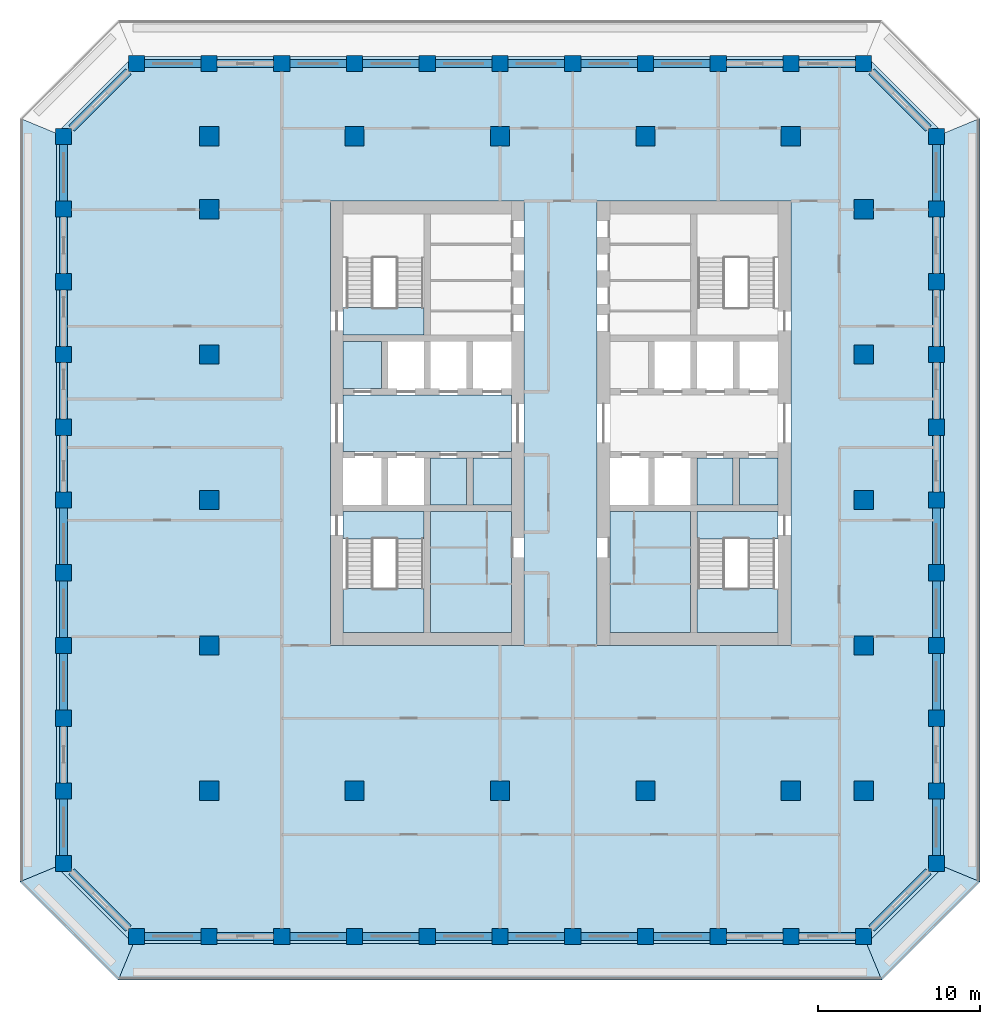
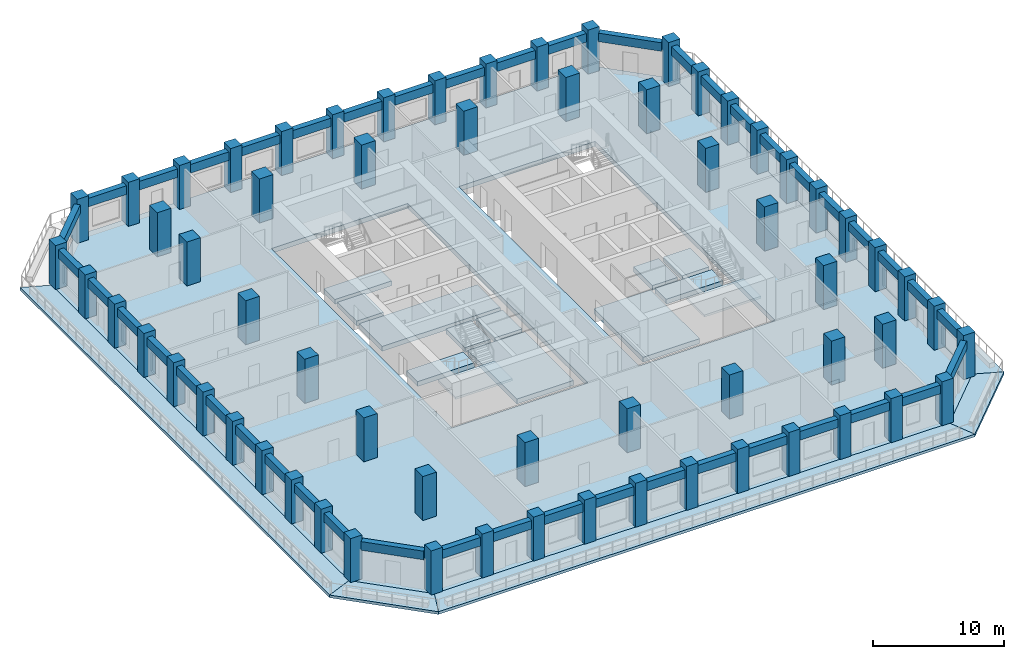
# One storey, part 1 of 16: 63 columns, 44 beams, 19 slabs, 2 elements without a shape of their own.
"""IFC4 building model written with IfcOpenShell, lengths in metres."""

from ifc_helpers import new_model, si_unit, direction, frame, origin, origin_2d, place, context, subcontext, project, spatial, polyline, rectangle, outline, extrude, material, layer, layer_set, material_profile, profile_set, type_object, element, aggregate, save


model = new_model("IFC4")

# Units and contexts
model_context = context("Model", 3, precision=1e-05, world=origin(), true_north=direction((0.0, 1.0)))
body_context = subcontext(model_context, "Body", "Model", "MODEL_VIEW")
ifc_project = project(units=[si_unit("LENGTHUNIT", "METRE"), si_unit("AREAUNIT", "SQUARE_METRE"), si_unit("VOLUMEUNIT", "CUBIC_METRE"), si_unit("PLANEANGLEUNIT", "RADIAN"), si_unit("MASSUNIT", "GRAM", prefix="KILO")], contexts=[model_context])

# Site, building, storey
site_placement = place(None, origin())
site = spatial("IfcSite", under=ifc_project, at=site_placement, CompositionType="ELEMENT")
building_placement = place(site_placement, origin())
building = spatial("IfcBuilding", under=site, at=building_placement, Name="Corbel Stack Research Tower", CompositionType="ELEMENT")
storey_placement = place(building_placement, frame((0.0, 0.0, 160.89990234375)))
storey = spatial("IfcBuildingStorey", under=building, at=storey_placement, Name="L36", CompositionType="ELEMENT", Elevation=160.89990234375)

# Columns
ifc_material_1 = material(Name="Concrete C60/75", Category="concrete")
ifc_material_profile_1 = material_profile(ifc_material_1, rectangle(XDim=1.0, YDim=1.0, at=origin_2d()), Name="RC 1000 x 1000")
ifc_profile_set_1 = profile_set([ifc_material_profile_1], Name="Concrete C60/75")
column_type_1 = type_object("IfcColumnType", Name="C-1000-60", PredefinedType="COLUMN", material=ifc_profile_set_1)
for number, where, z_axis, x_axis, name in (
    (1, (-27.0, -22.5, 0.0), (0.0, 0.0, 1.0), (1.0, 0.0, 0.0), "Column 2/C L36"),
    (2, (-27.0, -18.0, 0.0), (0.0, 0.0, 1.0), (1.0, 0.0, 0.0), "Column 2/D L36"),
    (3, (-27.0, -13.5, 0.0), (0.0, 0.0, 1.0), (1.0, 0.0, 0.0), "Column 2/E L36"),
    (4, (-27.0, -9.0, 0.0), (0.0, 0.0, 1.0), (1.0, 0.0, 0.0), "Column 2/F L36"),
    (5, (-27.0, -4.5, 0.0), (0.0, 0.0, 1.0), (1.0, 0.0, 0.0), "Column 2/G L36"),
    (6, (-27.0, 0.0, 0.0), (0.0, 0.0, 1.0), (1.0, 0.0, 0.0), "Column 2/H L36"),
    (7, (-27.0, 4.5, 0.0), (0.0, 0.0, 1.0), (1.0, 0.0, 0.0), "Column 2/J L36"),
    (8, (-27.0, 9.0, 0.0), (0.0, 0.0, 1.0), (1.0, 0.0, 0.0), "Column 2/K L36"),
    (9, (-27.0, 13.5, 0.0), (0.0, 0.0, 1.0), (1.0, 0.0, 0.0), "Column 2/L L36"),
    (10, (-27.0, 18.0, 0.0), (0.0, 0.0, 1.0), (1.0, 0.0, 0.0), "Column 2/M L36"),
    (11, (-27.0, 22.5, 0.0), (0.0, 0.0, 1.0), (1.0, 0.0, 0.0), "Column 2/N L36"),
    (12, (-22.5, -27.0, 0.0), (0.0, 0.0, 1.0), (1.0, 0.0, 0.0), "Column 3/B L36"),
    (13, (-22.5, 27.0, 0.0), (0.0, 0.0, 1.0), (1.0, 0.0, 0.0), "Column 3/P L36"),
    (14, (-18.0, -27.0, 0.0), (0.0, 0.0, 1.0), (1.0, 0.0, 0.0), "Column 4/B L36"),
    (15, (-18.0, 27.0, 0.0), (0.0, 0.0, 1.0), (1.0, 0.0, 0.0), "Column 4/P L36"),
    (16, (-13.5, -27.0, 0.0), (0.0, 0.0, 1.0), (1.0, 0.0, 0.0), "Column 5/B L36"),
    (17, (-13.5, 27.0, 0.0), (0.0, 0.0, 1.0), (1.0, 0.0, 0.0), "Column 5/P L36"),
    (18, (-9.0, -27.0, 0.0), (0.0, 0.0, 1.0), (1.0, 0.0, 0.0), "Column 6/B L36"),
    (19, (-9.0, 27.0, 0.0), (0.0, 0.0, 1.0), (1.0, 0.0, 0.0), "Column 6/P L36"),
    (20, (-4.5, -27.0, 0.0), (0.0, 0.0, 1.0), (1.0, 0.0, 0.0), "Column 7/B L36"),
    (21, (-4.5, 27.0, 0.0), (0.0, 0.0, 1.0), (1.0, 0.0, 0.0), "Column 7/P L36"),
    (22, (0.0, -27.0, 0.0), (0.0, 0.0, 1.0), (1.0, 0.0, 0.0), "Column 8/B L36"),
    (23, (0.0, 27.0, 0.0), (0.0, 0.0, 1.0), (1.0, 0.0, 0.0), "Column 8/P L36"),
    (24, (4.5, -27.0, 0.0), (0.0, 0.0, 1.0), (1.0, 0.0, 0.0), "Column 9/B L36"),
    (25, (4.5, 27.0, 0.0), (0.0, 0.0, 1.0), (1.0, 0.0, 0.0), "Column 9/P L36"),
    (26, (9.0, -27.0, 0.0), (0.0, 0.0, 1.0), (1.0, 0.0, 0.0), "Column 10/B L36"),
    (27, (9.0, 27.0, 0.0), (0.0, 0.0, 1.0), (1.0, 0.0, 0.0), "Column 10/P L36"),
    (28, (13.5, -27.0, 0.0), (0.0, 0.0, 1.0), (1.0, 0.0, 0.0), "Column 11/B L36"),
    (29, (13.5, 27.0, 0.0), (0.0, 0.0, 1.0), (1.0, 0.0, 0.0), "Column 11/P L36"),
    (30, (18.0, -27.0, 0.0), (0.0, 0.0, 1.0), (1.0, 0.0, 0.0), "Column 12/B L36"),
    (31, (18.0, 27.0, 0.0), (0.0, 0.0, 1.0), (1.0, 0.0, 0.0), "Column 12/P L36"),
    (32, (22.5, -27.0, 0.0), (0.0, 0.0, 1.0), (1.0, 0.0, 0.0), "Column 13/B L36"),
    (33, (22.5, 27.0, 0.0), (0.0, 0.0, 1.0), (1.0, 0.0, 0.0), "Column 13/P L36"),
    (34, (27.0, -22.5, 0.0), (0.0, 0.0, 1.0), (1.0, 0.0, 0.0), "Column 14/C L36"),
    (35, (27.0, -18.0, 0.0), (0.0, 0.0, 1.0), (1.0, 0.0, 0.0), "Column 14/D L36"),
    (36, (27.0, -13.5, 0.0), (0.0, 0.0, 1.0), (1.0, 0.0, 0.0), "Column 14/E L36"),
    (37, (27.0, -9.0, 0.0), (0.0, 0.0, 1.0), (1.0, 0.0, 0.0), "Column 14/F L36"),
    (38, (27.0, -4.5, 0.0), (0.0, 0.0, 1.0), (1.0, 0.0, 0.0), "Column 14/G L36"),
    (39, (27.0, 0.0, 0.0), (0.0, 0.0, 1.0), (1.0, 0.0, 0.0), "Column 14/H L36"),
    (40, (27.0, 4.5, 0.0), (0.0, 0.0, 1.0), (1.0, 0.0, 0.0), "Column 14/J L36"),
    (41, (27.0, 9.0, 0.0), (0.0, 0.0, 1.0), (1.0, 0.0, 0.0), "Column 14/K L36"),
    (42, (27.0, 13.5, 0.0), (0.0, 0.0, 1.0), (1.0, 0.0, 0.0), "Column 14/L L36"),
    (43, (27.0, 18.0, 0.0), (0.0, 0.0, 1.0), (1.0, 0.0, 0.0), "Column 14/M L36"),
    (44, (27.0, 22.5, 0.0), (0.0, 0.0, 1.0), (1.0, 0.0, 0.0), "Column 14/N L36"),
):
    element("IfcColumn", number, at=place(storey_placement, frame(where, z_axis=z_axis, x_axis=x_axis)), inside=storey, type_object=column_type_1, Name=name, PredefinedType="COLUMN", context=body_context, shape_type="SweptSolid", body=[
        extrude(rectangle(XDim=1.0, YDim=1.0, at=origin_2d()), origin(), (0.0, 0.0, 1.0), 4.10009765625),
    ])
ifc_material_2 = material(Name="Concrete C60/75", Category="concrete")
ifc_material_profile_2 = material_profile(ifc_material_2, rectangle(XDim=1.199951171875, YDim=1.199951171875, at=origin_2d()), Name="RC 1200 x 1200")
ifc_profile_set_2 = profile_set([ifc_material_profile_2], Name="Concrete C60/75")
column_type_2 = type_object("IfcColumnType", Name="C-1200-60", PredefinedType="COLUMN", material=ifc_profile_set_2)
for number, where, z_axis, x_axis, name in (
    (45, (-18.0, -18.0, 0.0), (0.0, 0.0, 1.0), (1.0, 0.0, 0.0), "Column 4/D L36"),
    (46, (-18.0, -9.0, 0.0), (0.0, 0.0, 1.0), (1.0, 0.0, 0.0), "Column 4/F L36"),
    (47, (-18.0, 0.0, 0.0), (0.0, 0.0, 1.0), (1.0, 0.0, 0.0), "Column 4/H L36"),
    (48, (-18.0, 9.0, 0.0), (0.0, 0.0, 1.0), (1.0, 0.0, 0.0), "Column 4/K L36"),
    (49, (-18.0, 18.0, 0.0), (0.0, 0.0, 1.0), (1.0, 0.0, 0.0), "Column 4/M L36"),
    (50, (-18.0, 22.5, 0.0), (0.0, 0.0, 1.0), (1.0, 0.0, 0.0), "Column 4/N L36"),
    (51, (-9.0, -18.0, 0.0), (0.0, 0.0, 1.0), (1.0, 0.0, 0.0), "Column 6/D L36"),
    (52, (-9.0, 22.5, 0.0), (0.0, 0.0, 1.0), (1.0, 0.0, 0.0), "Column 6/N L36"),
    (53, (0.0, -18.0, 0.0), (0.0, 0.0, 1.0), (1.0, 0.0, 0.0), "Column 8/D L36"),
    (54, (0.0, 22.5, 0.0), (0.0, 0.0, 1.0), (1.0, 0.0, 0.0), "Column 8/N L36"),
    (55, (9.0, -18.0, 0.0), (0.0, 0.0, 1.0), (1.0, 0.0, 0.0), "Column 10/D L36"),
    (56, (9.0, 22.5, 0.0), (0.0, 0.0, 1.0), (1.0, 0.0, 0.0), "Column 10/N L36"),
    (57, (18.0, -18.0, 0.0), (0.0, 0.0, 1.0), (1.0, 0.0, 0.0), "Column 12/D L36"),
    (58, (18.0, 22.5, 0.0), (0.0, 0.0, 1.0), (1.0, 0.0, 0.0), "Column 12/N L36"),
    (59, (22.5, -18.0, 0.0), (0.0, 0.0, 1.0), (1.0, 0.0, 0.0), "Column 13/D L36"),
    (60, (22.5, -9.0, 0.0), (0.0, 0.0, 1.0), (1.0, 0.0, 0.0), "Column 13/F L36"),
    (61, (22.5, 0.0, 0.0), (0.0, 0.0, 1.0), (1.0, 0.0, 0.0), "Column 13/H L36"),
    (62, (22.5, 9.0, 0.0), (0.0, 0.0, 1.0), (1.0, 0.0, 0.0), "Column 13/K L36"),
    (63, (22.5, 18.0, 0.0), (0.0, 0.0, 1.0), (1.0, 0.0, 0.0), "Column 13/M L36"),
):
    element("IfcColumn", number, at=place(storey_placement, frame(where, z_axis=z_axis, x_axis=x_axis)), inside=storey, type_object=column_type_2, Name=name, PredefinedType="COLUMN", context=body_context, shape_type="SweptSolid", body=[
        extrude(rectangle(XDim=1.199951171875, YDim=1.199951171875, at=origin_2d()), origin(), (0.0, 0.0, 1.0), 4.10009765625),
    ])

# Beams
ifc_material_3 = material(Name="Concrete C60/75", Category="concrete")
ifc_material_profile_3 = material_profile(ifc_material_3, rectangle(XDim=0.5, YDim=0.800048828125, at=origin_2d()), Name="RC 500 x 800")
ifc_profile_set_3 = profile_set([ifc_material_profile_3], Name="Concrete C60/75")
beam_type = type_object("IfcBeamType", Name="SB-500-800-450", PredefinedType="SPANDREL", material=ifc_profile_set_3)
for number, where, z_axis, x_axis, name in (
    (64, (-22.0, -27.0, 3.25), (1.0, 0.0, 0.0), (0.0, 1.0, 0.0), "Spandrel beam L36-01"),
    (65, (-17.5, -27.0, 3.25), (1.0, 0.0, 0.0), (0.0, 1.0, 0.0), "Spandrel beam L36-02"),
    (66, (-13.0, -27.0, 3.25), (1.0, 0.0, 0.0), (0.0, 1.0, 0.0), "Spandrel beam L36-03"),
    (67, (-8.5, -27.0, 3.25), (1.0, 0.0, 0.0), (0.0, 1.0, 0.0), "Spandrel beam L36-04"),
    (68, (-4.0, -27.0, 3.25), (1.0, 0.0, 0.0), (0.0, 1.0, 0.0), "Spandrel beam L36-05"),
    (69, (0.5, -27.0, 3.25), (1.0, 0.0, 0.0), (0.0, 1.0, 0.0), "Spandrel beam L36-06"),
    (70, (5.0, -27.0, 3.25), (1.0, 0.0, 0.0), (0.0, 1.0, 0.0), "Spandrel beam L36-07"),
    (71, (9.5, -27.0, 3.25), (1.0, 0.0, 0.0), (0.0, 1.0, 0.0), "Spandrel beam L36-08"),
    (72, (14.0, -27.0, 3.25), (1.0, 0.0, 0.0), (0.0, 1.0, 0.0), "Spandrel beam L36-09"),
    (73, (18.5, -27.0, 3.25), (1.0, 0.0, 0.0), (0.0, 1.0, 0.0), "Spandrel beam L36-10"),
):
    element("IfcBeam", number, at=place(storey_placement, frame(where, z_axis=z_axis, x_axis=x_axis)), inside=storey, type_object=beam_type, Name=name, PredefinedType="SPANDREL", context=body_context, shape_type="SweptSolid", body=[
        extrude(rectangle(XDim=0.5, YDim=0.800048828125, at=origin_2d()), origin(), (0.0, 0.0, 1.0), 3.5),
    ])
beam_1_placement = place(storey_placement, frame((23.0, -26.5, 3.25), z_axis=(0.707106781187, 0.707106781187, 0.0), x_axis=(-0.707106781187, 0.707106781187, 0.0)))
element("IfcBeam", 74, at=beam_1_placement, inside=storey, type_object=beam_type, Name="Spandrel beam L36-11", PredefinedType="SPANDREL", context=body_context, shape_type="SweptSolid", body=[
    extrude(rectangle(XDim=0.5, YDim=0.800048828125, at=origin_2d()), origin(), (0.0, 0.0, 1.0), 4.94970703125),
])
for number, where, z_axis, x_axis, name in (
    (75, (27.0, -22.0, 3.25), (0.0, 1.0, 0.0), (-1.0, 0.0, 0.0), "Spandrel beam L36-12"),
    (76, (27.0, -17.5, 3.25), (0.0, 1.0, 0.0), (-1.0, 0.0, 0.0), "Spandrel beam L36-13"),
    (77, (27.0, -13.0, 3.25), (0.0, 1.0, 0.0), (-1.0, 0.0, 0.0), "Spandrel beam L36-14"),
    (78, (27.0, -8.5, 3.25), (0.0, 1.0, 0.0), (-1.0, 0.0, 0.0), "Spandrel beam L36-15"),
    (79, (27.0, -4.0, 3.25), (0.0, 1.0, 0.0), (-1.0, 0.0, 0.0), "Spandrel beam L36-16"),
    (80, (27.0, 0.5, 3.25), (0.0, 1.0, 0.0), (-1.0, 0.0, 0.0), "Spandrel beam L36-17"),
    (81, (27.0, 5.0, 3.25), (0.0, 1.0, 0.0), (-1.0, 0.0, 0.0), "Spandrel beam L36-18"),
    (82, (27.0, 9.5, 3.25), (0.0, 1.0, 0.0), (-1.0, 0.0, 0.0), "Spandrel beam L36-19"),
    (83, (27.0, 14.0, 3.25), (0.0, 1.0, 0.0), (-1.0, 0.0, 0.0), "Spandrel beam L36-20"),
    (84, (27.0, 18.5, 3.25), (0.0, 1.0, 0.0), (-1.0, 0.0, 0.0), "Spandrel beam L36-21"),
):
    element("IfcBeam", number, at=place(storey_placement, frame(where, z_axis=z_axis, x_axis=x_axis)), inside=storey, type_object=beam_type, Name=name, PredefinedType="SPANDREL", context=body_context, shape_type="SweptSolid", body=[
        extrude(rectangle(XDim=0.5, YDim=0.800048828125, at=origin_2d()), origin(), (0.0, 0.0, 1.0), 3.5),
    ])
beam_2_placement = place(storey_placement, frame((26.5, 23.0, 3.25), z_axis=(-0.707106781187, 0.707106781187, 0.0), x_axis=(-0.707106781187, -0.707106781187, 0.0)))
element("IfcBeam", 85, at=beam_2_placement, inside=storey, type_object=beam_type, Name="Spandrel beam L36-22", PredefinedType="SPANDREL", context=body_context, shape_type="SweptSolid", body=[
    extrude(rectangle(XDim=0.5, YDim=0.800048828125, at=origin_2d()), origin(), (0.0, 0.0, 1.0), 4.94970703125),
])
for number, where, z_axis, x_axis, name in (
    (86, (22.0, 27.0, 3.25), (-1.0, 0.0, 0.0), (0.0, -1.0, 0.0), "Spandrel beam L36-23"),
    (87, (17.5, 27.0, 3.25), (-1.0, 0.0, 0.0), (0.0, -1.0, 0.0), "Spandrel beam L36-24"),
    (88, (13.0, 27.0, 3.25), (-1.0, 0.0, 0.0), (0.0, -1.0, 0.0), "Spandrel beam L36-25"),
    (89, (8.5, 27.0, 3.25), (-1.0, 0.0, 0.0), (0.0, -1.0, 0.0), "Spandrel beam L36-26"),
    (90, (4.0, 27.0, 3.25), (-1.0, 0.0, 0.0), (0.0, -1.0, 0.0), "Spandrel beam L36-27"),
    (91, (-0.5, 27.0, 3.25), (-1.0, 0.0, 0.0), (0.0, -1.0, 0.0), "Spandrel beam L36-28"),
    (92, (-5.0, 27.0, 3.25), (-1.0, 0.0, 0.0), (0.0, -1.0, 0.0), "Spandrel beam L36-29"),
    (93, (-9.5, 27.0, 3.25), (-1.0, 0.0, 0.0), (0.0, -1.0, 0.0), "Spandrel beam L36-30"),
    (94, (-14.0, 27.0, 3.25), (-1.0, 0.0, 0.0), (0.0, -1.0, 0.0), "Spandrel beam L36-31"),
    (95, (-18.5, 27.0, 3.25), (-1.0, 0.0, 0.0), (0.0, -1.0, 0.0), "Spandrel beam L36-32"),
):
    element("IfcBeam", number, at=place(storey_placement, frame(where, z_axis=z_axis, x_axis=x_axis)), inside=storey, type_object=beam_type, Name=name, PredefinedType="SPANDREL", context=body_context, shape_type="SweptSolid", body=[
        extrude(rectangle(XDim=0.5, YDim=0.800048828125, at=origin_2d()), origin(), (0.0, 0.0, 1.0), 3.5),
    ])
beam_3_placement = place(storey_placement, frame((-23.0, 26.5, 3.25), z_axis=(-0.707106781187, -0.707106781187, 0.0), x_axis=(0.707106781187, -0.707106781187, 0.0)))
element("IfcBeam", 96, at=beam_3_placement, inside=storey, type_object=beam_type, Name="Spandrel beam L36-33", PredefinedType="SPANDREL", context=body_context, shape_type="SweptSolid", body=[
    extrude(rectangle(XDim=0.5, YDim=0.800048828125, at=origin_2d()), origin(), (0.0, 0.0, 1.0), 4.94970703125),
])
for number, where, z_axis, x_axis, name in (
    (97, (-27.0, 22.0, 3.25), (0.0, -1.0, 0.0), (1.0, 0.0, 0.0), "Spandrel beam L36-34"),
    (98, (-27.0, 17.5, 3.25), (0.0, -1.0, 0.0), (1.0, 0.0, 0.0), "Spandrel beam L36-35"),
    (99, (-27.0, 13.0, 3.25), (0.0, -1.0, 0.0), (1.0, 0.0, 0.0), "Spandrel beam L36-36"),
    (100, (-27.0, 8.5, 3.25), (0.0, -1.0, 0.0), (1.0, 0.0, 0.0), "Spandrel beam L36-37"),
    (101, (-27.0, 4.0, 3.25), (0.0, -1.0, 0.0), (1.0, 0.0, 0.0), "Spandrel beam L36-38"),
    (102, (-27.0, -0.5, 3.25), (0.0, -1.0, 0.0), (1.0, 0.0, 0.0), "Spandrel beam L36-39"),
    (103, (-27.0, -5.0, 3.25), (0.0, -1.0, 0.0), (1.0, 0.0, 0.0), "Spandrel beam L36-40"),
    (104, (-27.0, -9.5, 3.25), (0.0, -1.0, 0.0), (1.0, 0.0, 0.0), "Spandrel beam L36-41"),
    (105, (-27.0, -14.0, 3.25), (0.0, -1.0, 0.0), (1.0, 0.0, 0.0), "Spandrel beam L36-42"),
    (106, (-27.0, -18.5, 3.25), (0.0, -1.0, 0.0), (1.0, 0.0, 0.0), "Spandrel beam L36-43"),
):
    element("IfcBeam", number, at=place(storey_placement, frame(where, z_axis=z_axis, x_axis=x_axis)), inside=storey, type_object=beam_type, Name=name, PredefinedType="SPANDREL", context=body_context, shape_type="SweptSolid", body=[
        extrude(rectangle(XDim=0.5, YDim=0.800048828125, at=origin_2d()), origin(), (0.0, 0.0, 1.0), 3.5),
    ])
beam_4_placement = place(storey_placement, frame((-26.5, -23.0, 3.25), z_axis=(0.707106781187, -0.707106781187, 0.0), x_axis=(0.707106781187, 0.707106781187, 0.0)))
element("IfcBeam", 107, at=beam_4_placement, inside=storey, type_object=beam_type, Name="Spandrel beam L36-44", PredefinedType="SPANDREL", context=body_context, shape_type="SweptSolid", body=[
    extrude(rectangle(XDim=0.5, YDim=0.800048828125, at=origin_2d()), origin(), (0.0, 0.0, 1.0), 4.94970703125),
])

# Slabs
ifc_material_4 = material(Name="Concrete C45/55", Category="concrete")
ifc_layer_1 = layer(ifc_material_4, 0.25)
ifc_layer_set_1 = layer_set([ifc_layer_1], Name="Concrete C45/55")
slab_type_1 = type_object("IfcSlabType", Name="PT balcony slab 250 C45/55", PredefinedType="FLOOR", material=ifc_layer_set_1)
slab_1_placement = place(storey_placement, frame((0.0, 0.0, -0.25)))
element("IfcSlab", 108, at=slab_1_placement, inside=storey, type_object=slab_type_1, Name="Loggia slab L36 S", PredefinedType="FLOOR", context=body_context, shape_type="SweptSolid", body=[
    extrude(outline(polyline([(22.70703125, -27.5), (22.0, -27.5), (22.0, -27.449951171875), (18.5, -27.449951171875), (18.5, -27.5), (17.5, -27.5), (17.5, -27.449951171875), (14.0, -27.449951171875), (14.0, -27.5), (13.0, -27.5), (13.0, -27.449951171875), (9.5, -27.449951171875), (9.5, -27.5), (8.5, -27.5), (8.5, -27.449951171875), (5.0, -27.449951171875), (5.0, -27.5), (4.0, -27.5), (4.0, -27.449951171875), (0.5, -27.449951171875), (0.5, -27.5), (-0.5, -27.5), (-0.5, -27.449951171875), (-4.0, -27.449951171875), (-4.0, -27.5), (-5.0, -27.5), (-5.0, -27.449951171875), (-8.5, -27.449951171875), (-8.5, -27.5), (-9.5, -27.5), (-9.5, -27.449951171875), (-13.0, -27.449951171875), (-13.0, -27.5), (-14.0, -27.5), (-14.0, -27.449951171875), (-17.5, -27.449951171875), (-17.5, -27.5), (-18.5, -27.5), (-18.5, -27.449951171875), (-22.0, -27.449951171875), (-22.0, -27.5), (-22.70703125, -27.5), (-23.618408203125, -29.699951171875), (23.618408203125, -29.699951171875), (22.70703125, -27.5)])), origin(), (0.0, 0.0, 1.0), 0.25),
])
slab_2_placement = place(storey_placement, frame((0.0, 0.0, -0.25)))
element("IfcSlab", 109, at=slab_2_placement, inside=storey, type_object=slab_type_1, Name="Loggia slab L36 SE", PredefinedType="FLOOR", context=body_context, shape_type="SweptSolid", body=[
    extrude(outline(polyline([(27.5, -22.70703125), (27.5, -23.0), (27.136474609375, -23.0), (23.0, -27.136474609375), (23.0, -27.5), (22.70703125, -27.5), (23.618408203125, -29.699951171875), (29.699951171875, -23.618408203125), (27.5, -22.70703125)])), origin(), (0.0, 0.0, 1.0), 0.25),
])
slab_3_placement = place(storey_placement, frame((0.0, 0.0, -0.25)))
element("IfcSlab", 110, at=slab_3_placement, inside=storey, type_object=slab_type_1, Name="Loggia slab L36 E", PredefinedType="FLOOR", context=body_context, shape_type="SweptSolid", body=[
    extrude(outline(polyline([(27.5, 22.70703125), (27.5, 22.0), (27.449951171875, 22.0), (27.449951171875, 18.5), (27.5, 18.5), (27.5, 17.5), (27.449951171875, 17.5), (27.449951171875, 14.0), (27.5, 14.0), (27.5, 13.0), (27.449951171875, 13.0), (27.449951171875, 9.5), (27.5, 9.5), (27.5, 8.5), (27.449951171875, 8.5), (27.449951171875, 5.0), (27.5, 5.0), (27.5, 4.0), (27.449951171875, 4.0), (27.449951171875, 0.5), (27.5, 0.5), (27.5, -0.5), (27.449951171875, -0.5), (27.449951171875, -4.0), (27.5, -4.0), (27.5, -5.0), (27.449951171875, -5.0), (27.449951171875, -8.5), (27.5, -8.5), (27.5, -9.5), (27.449951171875, -9.5), (27.449951171875, -13.0), (27.5, -13.0), (27.5, -14.0), (27.449951171875, -14.0), (27.449951171875, -17.5), (27.5, -17.5), (27.5, -18.5), (27.449951171875, -18.5), (27.449951171875, -22.0), (27.5, -22.0), (27.5, -22.70703125), (29.699951171875, -23.618408203125), (29.699951171875, 23.618408203125), (27.5, 22.70703125)])), origin(), (0.0, 0.0, 1.0), 0.25),
])
slab_4_placement = place(storey_placement, frame((0.0, 0.0, -0.25)))
element("IfcSlab", 111, at=slab_4_placement, inside=storey, type_object=slab_type_1, Name="Loggia slab L36 W", PredefinedType="FLOOR", context=body_context, shape_type="SweptSolid", body=[
    extrude(outline(polyline([(-27.5, -22.70703125), (-27.5, -22.0), (-27.449951171875, -22.0), (-27.449951171875, -18.5), (-27.5, -18.5), (-27.5, -17.5), (-27.449951171875, -17.5), (-27.449951171875, -14.0), (-27.5, -14.0), (-27.5, -13.0), (-27.449951171875, -13.0), (-27.449951171875, -9.5), (-27.5, -9.5), (-27.5, -8.5), (-27.449951171875, -8.5), (-27.449951171875, -5.0), (-27.5, -5.0), (-27.5, -4.0), (-27.449951171875, -4.0), (-27.449951171875, -0.5), (-27.5, -0.5), (-27.5, 0.5), (-27.449951171875, 0.5), (-27.449951171875, 4.0), (-27.5, 4.0), (-27.5, 5.0), (-27.449951171875, 5.0), (-27.449951171875, 8.5), (-27.5, 8.5), (-27.5, 9.5), (-27.449951171875, 9.5), (-27.449951171875, 13.0), (-27.5, 13.0), (-27.5, 14.0), (-27.449951171875, 14.0), (-27.449951171875, 17.5), (-27.5, 17.5), (-27.5, 18.5), (-27.449951171875, 18.5), (-27.449951171875, 22.0), (-27.5, 22.0), (-27.5, 22.70703125), (-29.699951171875, 23.618408203125), (-29.699951171875, -23.618408203125), (-27.5, -22.70703125)])), origin(), (0.0, 0.0, 1.0), 0.25),
])
slab_5_placement = place(storey_placement, frame((0.0, 0.0, -0.25)))
element("IfcSlab", 112, at=slab_5_placement, inside=storey, type_object=slab_type_1, Name="Loggia slab L36 SW", PredefinedType="FLOOR", context=body_context, shape_type="SweptSolid", body=[
    extrude(outline(polyline([(-22.70703125, -27.5), (-23.0, -27.5), (-23.0, -27.136474609375), (-27.136474609375, -23.0), (-27.5, -23.0), (-27.5, -22.70703125), (-29.699951171875, -23.618408203125), (-23.618408203125, -29.699951171875), (-22.70703125, -27.5)])), origin(), (0.0, 0.0, 1.0), 0.25),
])
ifc_material_5 = material(Name="Concrete C45/55", Category="concrete")
ifc_layer_2 = layer(ifc_material_5, 0.449951171875)
ifc_layer_set_2 = layer_set([ifc_layer_2], Name="Concrete C45/55")
slab_type_2 = type_object("IfcSlabType", Name="PT-450", PredefinedType="FLOOR", material=ifc_layer_set_2)
slab_6_placement = place(storey_placement, frame((0.0, 0.0, -0.449951171875)))
element("IfcSlab", 113, at=slab_6_placement, inside=storey, type_object=slab_type_2, Name="Floor slab L36", PredefinedType="FLOOR", context=body_context, shape_type="SweptSolid", body=[
    extrude(outline(polyline([(-22.686279296875, -27.449951171875), (22.686279296875, -27.449951171875), (27.449951171875, -22.686279296875), (27.449951171875, 22.686279296875), (22.686279296875, 27.449951171875), (-22.686279296875, 27.449951171875), (-27.449951171875, 22.686279296875), (-27.449951171875, -22.686279296875), (-22.686279296875, -27.449951171875)]), holes=[polyline([(23.10009765625, 17.39990234375), (21.89990234375, 17.39990234375), (21.89990234375, 18.60009765625), (23.10009765625, 18.60009765625), (23.10009765625, 17.39990234375)]), polyline([(21.89990234375, 8.39990234375), (21.89990234375, 9.60009765625), (23.10009765625, 9.60009765625), (23.10009765625, 8.39990234375), (21.89990234375, 8.39990234375)]), polyline([(23.10009765625, -0.60009765625), (21.89990234375, -0.60009765625), (21.89990234375, 0.60009765625), (23.10009765625, 0.60009765625), (23.10009765625, -0.60009765625)]), polyline([(21.89990234375, -9.60009765625), (21.89990234375, -8.39990234375), (23.10009765625, -8.39990234375), (23.10009765625, -9.60009765625), (21.89990234375, -9.60009765625)]), polyline([(21.89990234375, -18.60009765625), (21.89990234375, -17.39990234375), (23.10009765625, -17.39990234375), (23.10009765625, -18.60009765625), (21.89990234375, -18.60009765625)]), polyline([(17.39990234375, 21.89990234375), (17.39990234375, 23.10009765625), (18.60009765625, 23.10009765625), (18.60009765625, 21.89990234375), (17.39990234375, 21.89990234375)]), polyline([(18.60009765625, -18.60009765625), (17.39990234375, -18.60009765625), (17.39990234375, -17.39990234375), (18.60009765625, -17.39990234375), (18.60009765625, -18.60009765625)]), polyline([(6.0, -9.0), (6.0, 18.5), (18.0, 18.5), (18.0, -9.0), (6.0, -9.0)]), polyline([(8.39990234375, 21.89990234375), (8.39990234375, 23.10009765625), (9.60009765625, 23.10009765625), (9.60009765625, 21.89990234375), (8.39990234375, 21.89990234375)]), polyline([(9.60009765625, -18.60009765625), (8.39990234375, -18.60009765625), (8.39990234375, -17.39990234375), (9.60009765625, -17.39990234375), (9.60009765625, -18.60009765625)]), polyline([(1.5, -9.0), (-10.5, -9.0), (-10.5, 18.5), (1.5, 18.5), (1.5, -9.0)]), polyline([(0.60009765625, 21.89990234375), (-0.60009765625, 21.89990234375), (-0.60009765625, 23.10009765625), (0.60009765625, 23.10009765625), (0.60009765625, 21.89990234375)]), polyline([(0.60009765625, -18.60009765625), (-0.60009765625, -18.60009765625), (-0.60009765625, -17.39990234375), (0.60009765625, -17.39990234375), (0.60009765625, -18.60009765625)]), polyline([(-9.60009765625, 21.89990234375), (-9.60009765625, 23.10009765625), (-8.39990234375, 23.10009765625), (-8.39990234375, 21.89990234375), (-9.60009765625, 21.89990234375)]), polyline([(-8.39990234375, -18.60009765625), (-9.60009765625, -18.60009765625), (-9.60009765625, -17.39990234375), (-8.39990234375, -17.39990234375), (-8.39990234375, -18.60009765625)]), polyline([(-18.60009765625, 21.89990234375), (-18.60009765625, 23.10009765625), (-17.39990234375, 23.10009765625), (-17.39990234375, 21.89990234375), (-18.60009765625, 21.89990234375)]), polyline([(-17.39990234375, 17.39990234375), (-18.60009765625, 17.39990234375), (-18.60009765625, 18.60009765625), (-17.39990234375, 18.60009765625), (-17.39990234375, 17.39990234375)]), polyline([(-17.39990234375, 8.39990234375), (-18.60009765625, 8.39990234375), (-18.60009765625, 9.60009765625), (-17.39990234375, 9.60009765625), (-17.39990234375, 8.39990234375)]), polyline([(-18.60009765625, -0.60009765625), (-18.60009765625, 0.60009765625), (-17.39990234375, 0.60009765625), (-17.39990234375, -0.60009765625), (-18.60009765625, -0.60009765625)]), polyline([(-18.60009765625, -9.60009765625), (-18.60009765625, -8.39990234375), (-17.39990234375, -8.39990234375), (-17.39990234375, -9.60009765625), (-18.60009765625, -9.60009765625)]), polyline([(-17.39990234375, -18.60009765625), (-18.60009765625, -18.60009765625), (-18.60009765625, -17.39990234375), (-17.39990234375, -17.39990234375), (-17.39990234375, -18.60009765625)])]), origin(), (0.0, 0.0, 1.0), 0.449951171875),
])
slab_7_placement = place(storey_placement, frame((0.0, 0.0, -0.449951171875)))
element("IfcSlab", 114, at=slab_7_placement, inside=storey, type_object=slab_type_2, Name="West core floor L36", PredefinedType="FLOOR", context=body_context, shape_type="SweptSolid", body=[
    extrude(outline(polyline([(0.699951171875, 6.5), (-9.699951171875, 6.5), (-9.699951171875, 3.0), (0.699951171875, 3.0), (0.699951171875, 6.5)])), origin(), (0.0, 0.0, 1.0), 0.449951171875),
])
slab_8_placement = place(storey_placement, frame((0.0, 0.0, -0.449951171875)))
element("IfcSlab", 115, at=slab_8_placement, inside=storey, type_object=slab_type_2, Name="West core floor L36", PredefinedType="FLOOR", context=body_context, shape_type="SweptSolid", body=[
    extrude(outline(polyline([(-9.699951171875, 6.89990234375), (-7.324951171875, 6.89990234375), (-7.324951171875, 9.800048828125), (-9.699951171875, 9.800048828125), (-9.699951171875, 6.89990234375)])), origin(), (0.0, 0.0, 1.0), 0.449951171875),
])
slab_9_placement = place(storey_placement, frame((0.0, 0.0, -0.449951171875)))
element("IfcSlab", 116, at=slab_9_placement, inside=storey, type_object=slab_type_2, Name="West core floor L36", PredefinedType="FLOOR", context=body_context, shape_type="SweptSolid", body=[
    extrude(outline(polyline([(-4.300048828125, -0.699951171875), (-4.300048828125, -8.199951171875), (0.699951171875, -8.199951171875), (0.699951171875, -0.699951171875), (-4.300048828125, -0.699951171875)])), origin(), (0.0, 0.0, 1.0), 0.449951171875),
])
slab_10_placement = place(storey_placement, frame((0.0, 0.0, -0.449951171875)))
element("IfcSlab", 117, at=slab_10_placement, inside=storey, type_object=slab_type_2, Name="West core floor L36", PredefinedType="FLOOR", context=body_context, shape_type="SweptSolid", body=[
    extrude(outline(polyline([(-2.074951171875, -0.300048828125), (-2.074951171875, 2.60009765625), (-4.300048828125, 2.60009765625), (-4.300048828125, -0.300048828125), (-2.074951171875, -0.300048828125)])), origin(), (0.0, 0.0, 1.0), 0.449951171875),
])
slab_11_placement = place(storey_placement, frame((0.0, 0.0, -0.449951171875)))
element("IfcSlab", 118, at=slab_11_placement, inside=storey, type_object=slab_type_2, Name="West core floor L36", PredefinedType="FLOOR", context=body_context, shape_type="SweptSolid", body=[
    extrude(outline(polyline([(0.699951171875, -0.300048828125), (0.699951171875, 2.60009765625), (-1.675048828125, 2.60009765625), (-1.675048828125, -0.300048828125), (0.699951171875, -0.300048828125)])), origin(), (0.0, 0.0, 1.0), 0.449951171875),
])
slab_12_placement = place(storey_placement, frame((0.0, 0.0, -0.449951171875)))
element("IfcSlab", 119, at=slab_12_placement, inside=storey, type_object=slab_type_2, Name="East core floor L36", PredefinedType="FLOOR", context=body_context, shape_type="SweptSolid", body=[
    extrude(outline(polyline([(6.800048828125, -0.699951171875), (6.800048828125, -8.199951171875), (11.800048828125, -8.199951171875), (11.800048828125, -0.699951171875), (6.800048828125, -0.699951171875)])), origin(), (0.0, 0.0, 1.0), 0.449951171875),
])
slab_13_placement = place(storey_placement, frame((0.0, 0.0, -0.449951171875)))
element("IfcSlab", 120, at=slab_13_placement, inside=storey, type_object=slab_type_2, Name="East core floor L36", PredefinedType="FLOOR", context=body_context, shape_type="SweptSolid", body=[
    extrude(outline(polyline([(14.425048828125, -0.300048828125), (14.425048828125, 2.60009765625), (12.199951171875, 2.60009765625), (12.199951171875, -0.300048828125), (14.425048828125, -0.300048828125)])), origin(), (0.0, 0.0, 1.0), 0.449951171875),
])
slab_14_placement = place(storey_placement, frame((0.0, 0.0, -0.449951171875)))
element("IfcSlab", 121, at=slab_14_placement, inside=storey, type_object=slab_type_2, Name="East core floor L36", PredefinedType="FLOOR", context=body_context, shape_type="SweptSolid", body=[
    extrude(outline(polyline([(17.199951171875, -0.300048828125), (17.199951171875, 2.60009765625), (14.824951171875, 2.60009765625), (14.824951171875, -0.300048828125), (17.199951171875, -0.300048828125)])), origin(), (0.0, 0.0, 1.0), 0.449951171875),
])
slab_15_placement = place(storey_placement, frame((0.0, 0.0, -0.449951171875)))
element("IfcSlab", 122, at=slab_15_placement, inside=storey, type_object=slab_type_2, Name="Stair floor landing ST-W1", PredefinedType="FLOOR", context=body_context, shape_type="SweptSolid", body=[
    extrude(outline(polyline([(-9.699951171875, -2.39990234375), (-4.699951171875, -2.39990234375), (-4.699951171875, -0.699951171875), (-9.699951171875, -0.699951171875), (-9.699951171875, -2.39990234375)])), origin(), (0.0, 0.0, 1.0), 0.449951171875),
])
slab_16_placement = place(storey_placement, frame((0.0, 0.0, -0.449951171875)))
element("IfcSlab", 123, at=slab_16_placement, inside=storey, type_object=slab_type_2, Name="Stair floor landing ST-W2", PredefinedType="FLOOR", context=body_context, shape_type="SweptSolid", body=[
    extrude(outline(polyline([(-9.699951171875, 10.199951171875), (-4.699951171875, 10.199951171875), (-4.699951171875, 11.89990234375), (-9.699951171875, 11.89990234375), (-9.699951171875, 10.199951171875)])), origin(), (0.0, 0.0, 1.0), 0.449951171875),
])
slab_17_placement = place(storey_placement, frame((0.0, 0.0, -0.449951171875)))
element("IfcSlab", 124, at=slab_17_placement, inside=storey, type_object=slab_type_2, Name="Stair floor landing ST-E1", PredefinedType="FLOOR", context=body_context, shape_type="SweptSolid", body=[
    extrude(outline(polyline([(12.199951171875, -2.39990234375), (17.199951171875, -2.39990234375), (17.199951171875, -0.699951171875), (12.199951171875, -0.699951171875), (12.199951171875, -2.39990234375)])), origin(), (0.0, 0.0, 1.0), 0.449951171875),
])

# Stair, slab
ifc_material_6 = material(Name="Concrete C40/50", Category="concrete")
stair_type = type_object("IfcStairType", Name="Exit stair 24 risers", PredefinedType="HALF_TURN_STAIR", material=ifc_material_6)
stair_1_placement = place(storey_placement, origin())
stair_1 = element("IfcStair", 125, at=stair_1_placement, inside=storey, type_object=stair_type, Name="L36 Exit stair ST-W1", PredefinedType="HALF_TURN_STAIR")
ifc_material_7 = material(Name="Concrete C40/50", Category="concrete")
ifc_layer_3 = layer(ifc_material_7, 0.199951171875)
ifc_layer_set_3 = layer_set([ifc_layer_3], Name="Concrete C40/50")
slab_type_3 = type_object("IfcSlabType", Name="Stair landing 200 C40/50", PredefinedType="LANDING", material=ifc_layer_set_3)
slab_18_placement = place(storey_placement, frame((0.0, 0.0, 1.85009765625)))
slab_18 = element("IfcSlab", 126, at=slab_18_placement, type_object=slab_type_3, Name="ST-W1 landing 1", PredefinedType="LANDING", context=body_context, shape_type="SweptSolid", body=[
    extrude(outline(polyline([(-9.699951171875, -8.199951171875), (-9.699951171875, -5.47998046875), (-4.699951171875, -5.47998046875), (-4.699951171875, -8.199951171875), (-9.699951171875, -8.199951171875)])), origin(), (0.0, 0.0, 1.0), 0.199951171875),
])
aggregate(stair_1, [slab_18])

stair_2_placement = place(storey_placement, origin())
stair_2 = element("IfcStair", 127, at=stair_2_placement, inside=storey, type_object=stair_type, Name="L36 Exit stair ST-E1", PredefinedType="HALF_TURN_STAIR")
slab_19_placement = place(storey_placement, frame((0.0, 0.0, 1.85009765625)))
slab_19 = element("IfcSlab", 128, at=slab_19_placement, type_object=slab_type_3, Name="ST-E1 landing 1", PredefinedType="LANDING", context=body_context, shape_type="SweptSolid", body=[
    extrude(outline(polyline([(12.199951171875, -8.199951171875), (12.199951171875, -5.47998046875), (17.199951171875, -5.47998046875), (17.199951171875, -8.199951171875), (12.199951171875, -8.199951171875)])), origin(), (0.0, 0.0, 1.0), 0.199951171875),
])
aggregate(stair_2, [slab_19])

save(model, "model.ifc")
